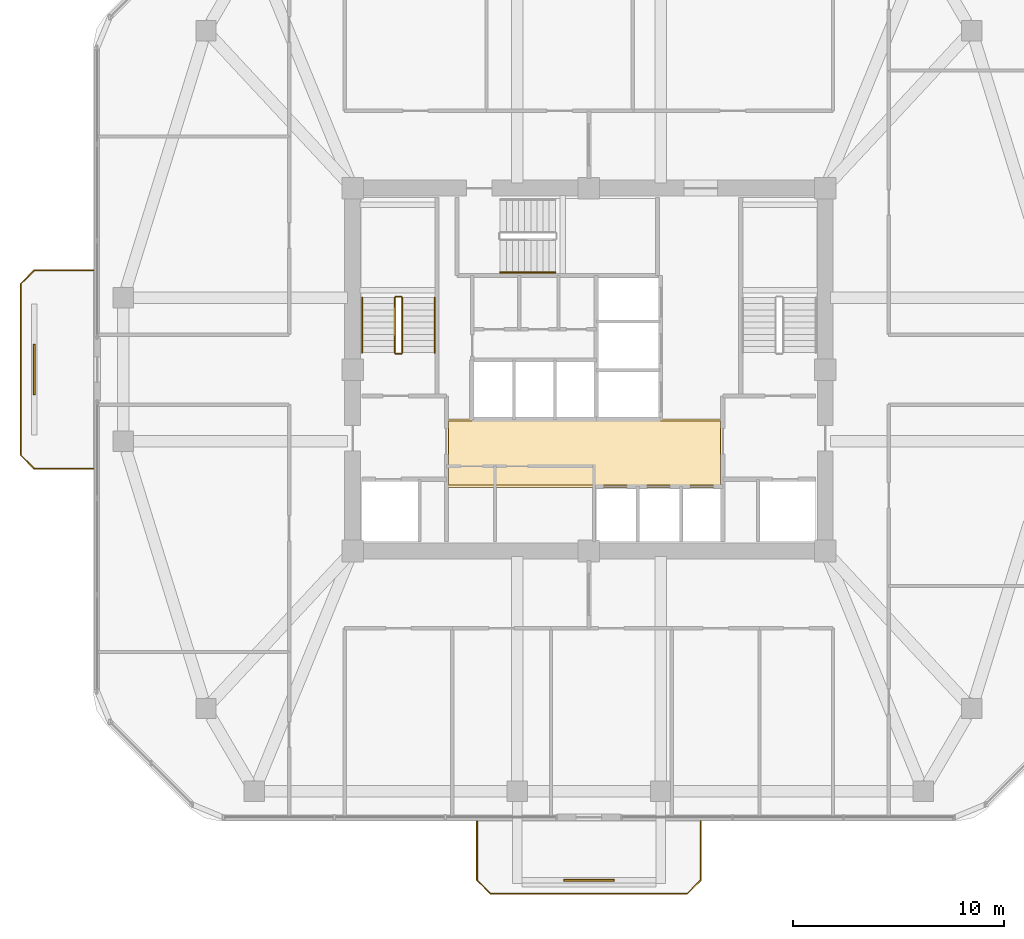
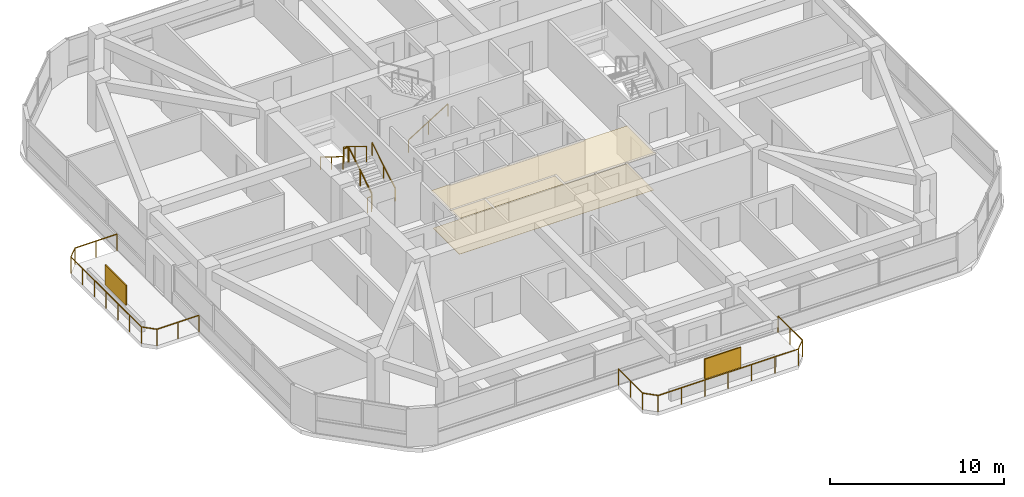
# One storey, part 11 of 12: 9 railings, 2 coverings, 2 shading devices.
"""IFC4 building model written with IfcOpenShell, lengths in metres."""

from ifc_helpers import new_model, si_unit, derived_unit, direction, frame, origin, origin_2d, place, context, subcontext, project, spatial, polyline, rectangle, outline, extrude, material, layer, layer_set, type_object, element, save


model = new_model("IFC4")

# Units and contexts
model_context = context("Model", 3, precision=1e-05, world=origin(), true_north=direction((0.0, 1.0)))
body_context = subcontext(model_context, "Body", "Model", "MODEL_VIEW")
ifc_project = project(units=[si_unit("LENGTHUNIT", "METRE"), si_unit("AREAUNIT", "SQUARE_METRE"), si_unit("VOLUMEUNIT", "CUBIC_METRE"), si_unit("PLANEANGLEUNIT", "RADIAN"), si_unit("MASSUNIT", "GRAM", prefix="KILO"), derived_unit("THERMALTRANSMITTANCEUNIT", [(si_unit("POWERUNIT", "WATT"), 1), (si_unit("LENGTHUNIT", "METRE"), -2), (si_unit("THERMODYNAMICTEMPERATUREUNIT", "KELVIN"), -1)])], contexts=[model_context])

# Site, building, storey
site_placement = place(None, origin())
site = spatial("IfcSite", under=ifc_project, at=site_placement, CompositionType="ELEMENT")
building_placement = place(site_placement, origin())
building = spatial("IfcBuilding", under=site, at=building_placement, Name="Koralith Skygarden Medical Center", CompositionType="ELEMENT")
storey_placement = place(building_placement, frame((0.0, 0.0, 149.219970703125)))
storey = spatial("IfcBuildingStorey", under=building, at=storey_placement, Name="L38", CompositionType="ELEMENT", Elevation=149.219970703125)

# Covering
ifc_material_1 = material(Name="Acoustic Mineral Tile")
ifc_layer_1 = layer(ifc_material_1, 0.02001953125)
ifc_layer_set_1 = layer_set([ifc_layer_1], Name="Acoustic Mineral Tile")
covering_type_1 = type_object("IfcCoveringType", Name="Acoustic Hygienic Mineral Ceiling 20", PredefinedType="CEILING", material=ifc_layer_set_1)
covering_1_placement = place(storey_placement, frame((0.0, 0.0, 2.5849609375)))
element("IfcCovering", 1, at=covering_1_placement, inside=storey, type_object=covering_type_1, Name="L38 Core Lobby Acoustic Ceiling", PredefinedType="CEILING", context=body_context, shape_type="SweptSolid", body=[
    extrude(outline(polyline([(30.25, 20.320068359375), (43.35009765625, 20.320068359375), (43.35009765625, 23.56005859375), (30.25, 23.56005859375), (30.25, 20.320068359375)])), origin(), (0.0, 0.0, 1.0), 0.02001953125),
])

# Railings
ifc_material_2 = material(Name="Steel ASTM A500 Grade C", Category="steel")
railing_type_1 = type_object("IfcRailingType", Name="Outdoor Terrace & Balcony Safety Guardrail 1180", PredefinedType="GUARDRAIL", material=ifc_material_2)
railing_1_placement = place(storey_placement, frame((31.699951171875, 4.5, 0.0)))
element("IfcRailing", 2, at=railing_1_placement, inside=storey, type_object=railing_type_1, Name="L38 S Balcony Perimeter Guardrail", PredefinedType="GUARDRAIL", context=body_context, shape_type="SweptSolid", body=[
    extrude(rectangle(XDim=0.050048828125, YDim=0.050048828125, at=origin_2d()), frame((0.0, -0.001953125, 1.15478515625), z_axis=(0.0, -1.0, 0.0), x_axis=(1.0, 0.0, 0.0)), (0.0, 0.0, 1.0), 2.796142578125),
    extrude(rectangle(XDim=0.050048828125, YDim=0.050048828125, at=origin_2d()), frame((0.00146484375, -2.801513671875, 1.15478515625), z_axis=(0.707239558722, -0.706973978714, 0.0), x_axis=(0.706973978714, 0.707239558722, 0.0)), (0.0, 0.0, 1.0), 0.915283203125),
    extrude(rectangle(XDim=0.050048828125, YDim=0.050048828125, at=origin_2d()), frame((0.652099609375, -3.449951171875, 1.15478515625), z_axis=(1.0, 0.0, 0.0), x_axis=(0.0, 1.0, 0.0)), (0.0, 0.0, 1.0), 9.2958984375),
    extrude(rectangle(XDim=0.050048828125, YDim=0.050048828125, at=origin_2d()), frame((9.951416015625, -3.448486328125, 1.15478515625), z_axis=(0.707239558722, 0.706973978714, 0.0), x_axis=(-0.706973978714, 0.707239558722, 0.0)), (0.0, 0.0, 1.0), 0.915283203125),
    extrude(rectangle(XDim=0.050048828125, YDim=0.050048828125, at=origin_2d()), frame((10.60009765625, -2.798095703125, 1.15478515625), z_axis=(0.0, 1.0, 0.0), x_axis=(-1.0, 0.0, 0.0)), (0.0, 0.0, 1.0), 2.796142578125),
    extrude(rectangle(XDim=0.0419921875, YDim=0.0419921875, at=origin_2d()), origin(), (0.0, 0.0, 1.0), 1.1279296875),
    extrude(rectangle(XDim=0.0419921875, YDim=0.0419921875, at=origin_2d()), frame((0.0, -1.39990234375, 0.0)), (0.0, 0.0, 1.0), 1.1279296875),
    extrude(rectangle(XDim=0.0419921875, YDim=0.0419921875, at=origin_2d()), frame((0.0, -2.800048828125, 0.0)), (0.0, 0.0, 1.0), 1.1279296875),
    extrude(rectangle(XDim=0.0419921875, YDim=0.0419921875, at=origin_2d()), frame((0.650146484375, -3.449951171875, 0.0)), (0.0, 0.0, 1.0), 1.1279296875),
    extrude(rectangle(XDim=0.0419921875, YDim=0.0419921875, at=origin_2d()), frame((2.2001953125, -3.449951171875, 0.0)), (0.0, 0.0, 1.0), 1.1279296875),
    extrude(rectangle(XDim=0.0419921875, YDim=0.0419921875, at=origin_2d()), frame((3.75, -3.449951171875, 0.0)), (0.0, 0.0, 1.0), 1.1279296875),
    extrude(rectangle(XDim=0.0419921875, YDim=0.0419921875, at=origin_2d()), frame((5.300048828125, -3.449951171875, 0.0)), (0.0, 0.0, 1.0), 1.1279296875),
    extrude(rectangle(XDim=0.0419921875, YDim=0.0419921875, at=origin_2d()), frame((6.85009765625, -3.449951171875, 0.0)), (0.0, 0.0, 1.0), 1.1279296875),
    extrude(rectangle(XDim=0.0419921875, YDim=0.0419921875, at=origin_2d()), frame((8.39990234375, -3.449951171875, 0.0)), (0.0, 0.0, 1.0), 1.1279296875),
    extrude(rectangle(XDim=0.0419921875, YDim=0.0419921875, at=origin_2d()), frame((9.949951171875, -3.449951171875, 0.0)), (0.0, 0.0, 1.0), 1.1279296875),
    extrude(rectangle(XDim=0.0419921875, YDim=0.0419921875, at=origin_2d()), frame((10.60009765625, -2.800048828125, 0.0)), (0.0, 0.0, 1.0), 1.1279296875),
    extrude(rectangle(XDim=0.0419921875, YDim=0.0419921875, at=origin_2d()), frame((10.60009765625, -1.39990234375, 0.0)), (0.0, 0.0, 1.0), 1.1279296875),
    extrude(rectangle(XDim=0.0419921875, YDim=0.0419921875, at=origin_2d()), frame((10.60009765625, 0.0, 0.0)), (0.0, 0.0, 1.0), 1.1279296875),
])
railing_2_placement = place(storey_placement, frame((13.51611328125, 21.199951171875, 0.0)))
element("IfcRailing", 3, at=railing_2_placement, inside=storey, type_object=railing_type_1, Name="L38 W Balcony Perimeter Guardrail", PredefinedType="GUARDRAIL", context=body_context, shape_type="SweptSolid", body=[
    extrude(rectangle(XDim=0.050048828125, YDim=0.050048828125, at=origin_2d()), frame((-0.001953125, 0.0, 1.15478515625), z_axis=(-1.0, 0.0, 0.0), x_axis=(0.0, -1.0, 0.0)), (0.0, 0.0, 1.0), 2.796142578125),
    extrude(rectangle(XDim=0.050048828125, YDim=0.050048828125, at=origin_2d()), frame((-2.801513671875, 0.00146484375, 1.15478515625), z_axis=(-0.707106781187, 0.707106781187, 0.0), x_axis=(-0.707106781187, -0.707106781187, 0.0)), (0.0, 0.0, 1.0), 0.91552734375),
    extrude(rectangle(XDim=0.050048828125, YDim=0.050048828125, at=origin_2d()), frame((-3.4501953125, 0.652099609375, 1.15478515625), z_axis=(0.0, 1.0, 0.0), x_axis=(-1.0, 0.0, 0.0)), (0.0, 0.0, 1.0), 8.095947265625),
    extrude(rectangle(XDim=0.050048828125, YDim=0.050048828125, at=origin_2d()), frame((-3.44873046875, 8.75146484375, 1.15478515625), z_axis=(0.707106781187, 0.707106781187, 0.0), x_axis=(-0.707106781187, 0.707106781187, 0.0)), (0.0, 0.0, 1.0), 0.91552734375),
    extrude(rectangle(XDim=0.050048828125, YDim=0.050048828125, at=origin_2d()), frame((-2.798095703125, 9.400146484375, 1.15478515625), z_axis=(1.0, 0.0, 0.0), x_axis=(0.0, 1.0, 0.0)), (0.0, 0.0, 1.0), 2.796142578125),
    extrude(rectangle(XDim=0.0419921875, YDim=0.0419921875, at=origin_2d()), origin(), (0.0, 0.0, 1.0), 1.1279296875),
    extrude(rectangle(XDim=0.0419921875, YDim=0.0419921875, at=origin_2d()), frame((-1.39990234375, 0.0, 0.0)), (0.0, 0.0, 1.0), 1.1279296875),
    extrude(rectangle(XDim=0.0419921875, YDim=0.0419921875, at=origin_2d()), frame((-2.800048828125, 0.0, 0.0)), (0.0, 0.0, 1.0), 1.1279296875),
    extrude(rectangle(XDim=0.0419921875, YDim=0.0419921875, at=origin_2d()), frame((-3.4501953125, 0.650146484375, 0.0)), (0.0, 0.0, 1.0), 1.1279296875),
    extrude(rectangle(XDim=0.0419921875, YDim=0.0419921875, at=origin_2d()), frame((-3.4501953125, 2.0, 0.0)), (0.0, 0.0, 1.0), 1.1279296875),
    extrude(rectangle(XDim=0.0419921875, YDim=0.0419921875, at=origin_2d()), frame((-3.4501953125, 3.35009765625, 0.0)), (0.0, 0.0, 1.0), 1.1279296875),
    extrude(rectangle(XDim=0.0419921875, YDim=0.0419921875, at=origin_2d()), frame((-3.4501953125, 4.7001953125, 0.0)), (0.0, 0.0, 1.0), 1.1279296875),
    extrude(rectangle(XDim=0.0419921875, YDim=0.0419921875, at=origin_2d()), frame((-3.4501953125, 6.050048828125, 0.0)), (0.0, 0.0, 1.0), 1.1279296875),
    extrude(rectangle(XDim=0.0419921875, YDim=0.0419921875, at=origin_2d()), frame((-3.4501953125, 7.39990234375, 0.0)), (0.0, 0.0, 1.0), 1.1279296875),
    extrude(rectangle(XDim=0.0419921875, YDim=0.0419921875, at=origin_2d()), frame((-3.4501953125, 8.75, 0.0)), (0.0, 0.0, 1.0), 1.1279296875),
    extrude(rectangle(XDim=0.0419921875, YDim=0.0419921875, at=origin_2d()), frame((-2.800048828125, 9.400146484375, 0.0)), (0.0, 0.0, 1.0), 1.1279296875),
    extrude(rectangle(XDim=0.0419921875, YDim=0.0419921875, at=origin_2d()), frame((-1.39990234375, 9.400146484375, 0.0)), (0.0, 0.0, 1.0), 1.1279296875),
    extrude(rectangle(XDim=0.0419921875, YDim=0.0419921875, at=origin_2d()), frame((0.0, 9.400146484375, 0.0)), (0.0, 0.0, 1.0), 1.1279296875),
])

# Shading devices
ifc_material_3 = material(Name="Aluminium 6063-T6", Category="aluminium")
ifc_layer_2 = layer(ifc_material_3, 0.080078125)
ifc_layer_set_2 = layer_set([ifc_layer_2], Name="Aluminium 6063-T6")
shading_device_type = type_object("IfcShadingDeviceType", Name="Perforated Biophilic Balcony Trellis Screen", PredefinedType="USERDEFINED", material=ifc_layer_set_2)
for number, where, z_axis, x_axis, name in (
    (4, (37.0, 1.699951171875, 0.719970703125), (0.0, 0.0, 1.0), (1.0, 0.0, 0.0), "L38 S Biophilic Balcony Trellis Screen"),
    (5, (10.716064453125, 25.89990234375, 0.719970703125), (0.0, 0.0, 1.0), (0.0, 1.0, 0.0), "L38 W Biophilic Balcony Trellis Screen"),
):
    element("IfcShadingDevice", number, at=place(storey_placement, frame(where, z_axis=z_axis, x_axis=x_axis)), inside=storey, type_object=shading_device_type, Name=name, ObjectType="HURRICANE SCREEN", PredefinedType="USERDEFINED", context=body_context, shape_type="SweptSolid", body=[
        extrude(rectangle(XDim=2.39990234375, YDim=0.080078125, at=origin_2d()), origin(), (0.0, 0.0, 1.0), 1.39990234375),
    ])

# Covering
ifc_material_4 = material(Name="Medical Terrazzo Flooring")
ifc_layer_3 = layer(ifc_material_4, 0.014892578125)
ifc_layer_set_3 = layer_set([ifc_layer_3], Name="Medical Terrazzo Flooring")
covering_type_2 = type_object("IfcCoveringType", Name="Seamless Antimicrobial Terrazzo Flooring 15", PredefinedType="FLOORING", material=ifc_layer_set_3)
covering_2_placement = place(storey_placement, origin())
element("IfcCovering", 6, at=covering_2_placement, inside=storey, type_object=covering_type_2, Name="L38 Core Lobby Terrazzo Flooring", PredefinedType="FLOORING", context=body_context, shape_type="SweptSolid", body=[
    extrude(outline(polyline([(30.35009765625, 20.419921875), (43.25, 20.419921875), (43.25, 23.4599609375), (30.35009765625, 23.4599609375), (30.35009765625, 20.419921875)])), origin(), (0.0, 0.0, 1.0), 0.01513671875),
])

# Railings
railing_type_2 = type_object("IfcRailingType", Name="Stair Flight Tubular Handrail 920", PredefinedType="HANDRAIL", material=ifc_material_2)
railing_3_placement = place(storey_placement, frame((29.699951171875, 26.699951171875, 0.179931640625)))
element("IfcRailing", 7, at=railing_3_placement, inside=storey, type_object=railing_type_2, Name="L38 ST1 stair handrail 1", PredefinedType="HANDRAIL", context=body_context, shape_type="SweptSolid", body=[
    extrude(rectangle(XDim=0.050048828125, YDim=0.050048828125, at=origin_2d()), frame((0.0, 0.001708984375, 0.89599609375), z_axis=(0.0, 0.849632798774, 0.527374731332), x_axis=(-1.0, 0.0, 0.0)), (0.0, 0.0, 1.0), 3.068115234375),
    extrude(rectangle(XDim=0.0419921875, YDim=0.0419921875, at=origin_2d()), origin(), (0.0, 0.0, 1.0), 0.867919921875),
    extrude(rectangle(XDim=0.0419921875, YDim=0.0419921875, at=origin_2d()), frame((0.0, 1.30517578125, 0.81005859375)), (0.0, 0.0, 1.0), 0.867919921875),
    extrude(rectangle(XDim=0.0419921875, YDim=0.0419921875, at=origin_2d()), frame((0.0, 2.610107421875, 1.6201171875)), (0.0, 0.0, 1.0), 0.867919921875),
])
railing_4_placement = place(storey_placement, frame((26.25, 29.31005859375, 1.97998046875)))
element("IfcRailing", 8, at=railing_4_placement, inside=storey, type_object=railing_type_2, Name="L38 ST1 stair handrail 2", PredefinedType="HANDRAIL", context=body_context, shape_type="SweptSolid", body=[
    extrude(rectangle(XDim=0.050048828125, YDim=0.050048828125, at=origin_2d()), frame((0.0, -0.001708984375, 0.89599609375), z_axis=(0.0, -0.849632798774, 0.527374731332), x_axis=(1.0, 0.0, 0.0)), (0.0, 0.0, 1.0), 3.068115234375),
    extrude(rectangle(XDim=0.0419921875, YDim=0.0419921875, at=origin_2d()), origin(), (0.0, 0.0, 1.0), 0.867919921875),
    extrude(rectangle(XDim=0.0419921875, YDim=0.0419921875, at=origin_2d()), frame((0.0, -1.30517578125, 0.81005859375)), (0.0, 0.0, 1.0), 0.867919921875),
    extrude(rectangle(XDim=0.0419921875, YDim=0.0419921875, at=origin_2d()), frame((0.0, -2.610107421875, 1.6201171875)), (0.0, 0.0, 1.0), 0.867919921875),
])
railing_5_placement = place(storey_placement, frame((32.800048828125, 30.5, 0.179931640625)))
element("IfcRailing", 9, at=railing_5_placement, inside=storey, type_object=railing_type_2, Name="L38 ST3 stair handrail 1", PredefinedType="HANDRAIL", context=body_context, shape_type="SweptSolid", body=[
    extrude(rectangle(XDim=0.050048828125, YDim=0.050048828125, at=origin_2d()), frame((0.001708984375, 0.0, 0.89599609375), z_axis=(0.849610693518, 0.0, 0.52741034258), x_axis=(0.0, 1.0, 0.0)), (0.0, 0.0, 1.0), 3.06787109375),
    extrude(rectangle(XDim=0.0419921875, YDim=0.0419921875, at=origin_2d()), origin(), (0.0, 0.0, 1.0), 0.867919921875),
    extrude(rectangle(XDim=0.0419921875, YDim=0.0419921875, at=origin_2d()), frame((1.304931640625, 0.0, 0.81005859375)), (0.0, 0.0, 1.0), 0.867919921875),
    extrude(rectangle(XDim=0.0419921875, YDim=0.0419921875, at=origin_2d()), frame((2.60986328125, 0.0, 1.6201171875)), (0.0, 0.0, 1.0), 0.867919921875),
])
railing_type_3 = type_object("IfcRailingType", Name="Stair Well Safety Guardrail 1100", PredefinedType="GUARDRAIL", material=ifc_material_2)
railing_6_placement = place(storey_placement, frame((28.14990234375, 26.699951171875, 0.179931640625)))
element("IfcRailing", 10, at=railing_6_placement, inside=storey, type_object=railing_type_3, Name="L38 ST1 stair guard 1", PredefinedType="GUARDRAIL", context=body_context, shape_type="SweptSolid", body=[
    extrude(rectangle(XDim=0.050048828125, YDim=0.050048828125, at=origin_2d()), frame((0.0, 0.001708984375, 1.076171875), z_axis=(0.0, 0.849632798774, 0.527374731332), x_axis=(-1.0, 0.0, 0.0)), (0.0, 0.0, 1.0), 3.068115234375),
    extrude(rectangle(XDim=0.0419921875, YDim=0.0419921875, at=origin_2d()), origin(), (0.0, 0.0, 1.0), 1.048095703125),
    extrude(rectangle(XDim=0.0419921875, YDim=0.0419921875, at=origin_2d()), frame((0.0, 1.30517578125, 0.81005859375)), (0.0, 0.0, 1.0), 1.048095703125),
    extrude(rectangle(XDim=0.0419921875, YDim=0.0419921875, at=origin_2d()), frame((0.0, 2.610107421875, 1.6201171875)), (0.0, 0.0, 1.0), 1.048095703125),
])
railing_7_placement = place(storey_placement, frame((28.10009765625, 29.360107421875, 1.800048828125)))
element("IfcRailing", 11, at=railing_7_placement, inside=storey, type_object=railing_type_3, Name="L38 ST1 stair guard 2", PredefinedType="GUARDRAIL", context=body_context, shape_type="SweptSolid", body=[
    extrude(rectangle(XDim=0.050048828125, YDim=0.050048828125, at=origin_2d()), frame((-0.001953125, 0.0, 1.0751953125), z_axis=(-1.0, 0.0, 0.0), x_axis=(0.0, -1.0, 0.0)), (0.0, 0.0, 1.0), 0.24609375),
    extrude(rectangle(XDim=0.0419921875, YDim=0.0419921875, at=origin_2d()), origin(), (0.0, 0.0, 1.0), 1.048095703125),
    extrude(rectangle(XDim=0.0419921875, YDim=0.0419921875, at=origin_2d()), frame((-0.25, 0.0, 0.0)), (0.0, 0.0, 1.0), 1.048095703125),
])
railing_8_placement = place(storey_placement, frame((27.800048828125, 29.31005859375, 1.97998046875)))
element("IfcRailing", 12, at=railing_8_placement, inside=storey, type_object=railing_type_3, Name="L38 ST1 stair guard 3", PredefinedType="GUARDRAIL", context=body_context, shape_type="SweptSolid", body=[
    extrude(rectangle(XDim=0.050048828125, YDim=0.050048828125, at=origin_2d()), frame((0.0, -0.001708984375, 1.076171875), z_axis=(0.0, -0.849632798774, 0.527374731332), x_axis=(1.0, 0.0, 0.0)), (0.0, 0.0, 1.0), 3.068115234375),
    extrude(rectangle(XDim=0.0419921875, YDim=0.0419921875, at=origin_2d()), origin(), (0.0, 0.0, 1.0), 1.048095703125),
    extrude(rectangle(XDim=0.0419921875, YDim=0.0419921875, at=origin_2d()), frame((0.0, -1.30517578125, 0.81005859375)), (0.0, 0.0, 1.0), 1.048095703125),
    extrude(rectangle(XDim=0.0419921875, YDim=0.0419921875, at=origin_2d()), frame((0.0, -2.610107421875, 1.6201171875)), (0.0, 0.0, 1.0), 1.048095703125),
])
railing_9_placement = place(storey_placement, frame((28.10009765625, 26.64990234375, 0.0)))
element("IfcRailing", 13, at=railing_9_placement, inside=storey, type_object=railing_type_3, Name="L38 ST1 stair guard 4", PredefinedType="GUARDRAIL", context=body_context, shape_type="SweptSolid", body=[
    extrude(rectangle(XDim=0.050048828125, YDim=0.050048828125, at=origin_2d()), frame((-0.001953125, 0.0, 1.0751953125), z_axis=(-1.0, 0.0, 0.0), x_axis=(0.0, -1.0, 0.0)), (0.0, 0.0, 1.0), 0.24609375),
    extrude(rectangle(XDim=0.0419921875, YDim=0.0419921875, at=origin_2d()), origin(), (0.0, 0.0, 1.0), 1.048095703125),
    extrude(rectangle(XDim=0.0419921875, YDim=0.0419921875, at=origin_2d()), frame((-0.25, 0.0, 0.0)), (0.0, 0.0, 1.0), 1.048095703125),
])

save(model, "model.ifc")
